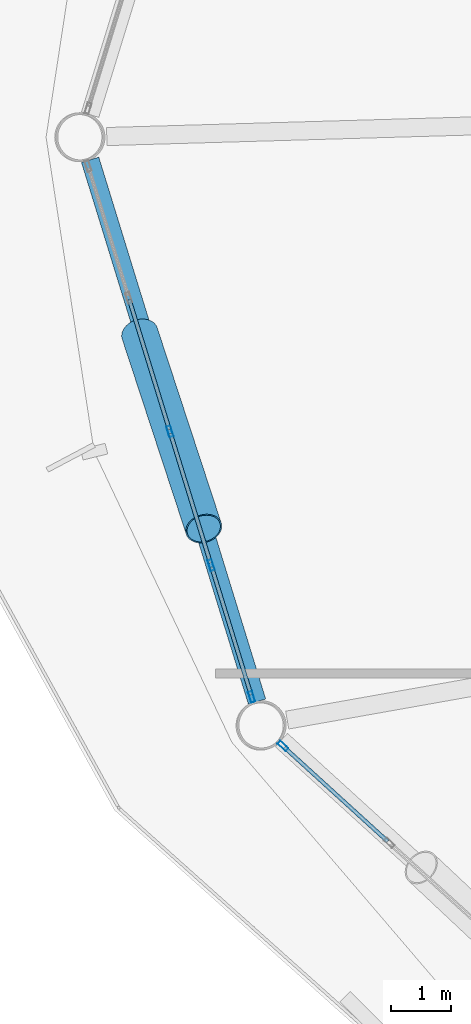
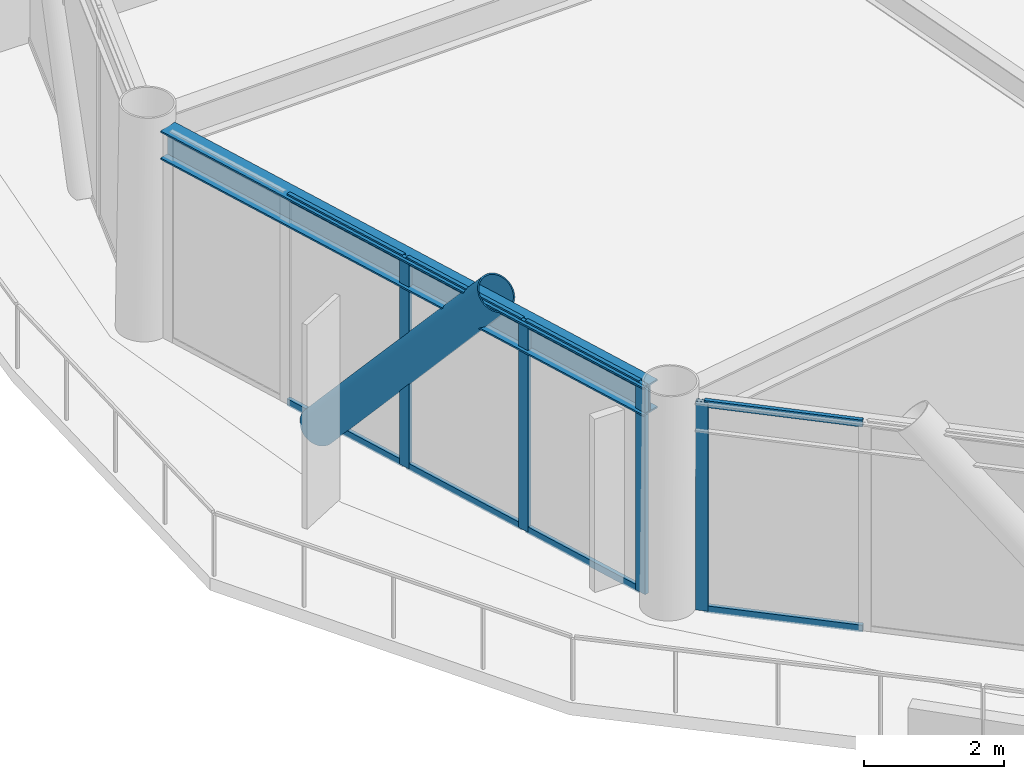
# One storey, part 4 of 24: 13 members, 1 beam, 2 elements without a shape of their own.
"""IFC4 building model written with IfcOpenShell, lengths in metres."""

from ifc_helpers import new_model, si_unit, direction, frame, origin, origin_2d, place, context, subcontext, project, spatial, hollow_rectangle, hollow_circle, i_section, extrude, material, layer, layer_set, material_profile, profile_set, type_object, element, aggregate, save


model = new_model("IFC4")

# Units and contexts
model_context = context("Model", 3, precision=1e-05, world=origin(), true_north=direction((0.0, 1.0)))
body_context = subcontext(model_context, "Body", "Model", "MODEL_VIEW")
ifc_project = project(units=[si_unit("LENGTHUNIT", "METRE"), si_unit("AREAUNIT", "SQUARE_METRE"), si_unit("VOLUMEUNIT", "CUBIC_METRE"), si_unit("PLANEANGLEUNIT", "RADIAN"), si_unit("MASSUNIT", "GRAM", prefix="KILO")], contexts=[model_context])

# Site, building, storey
site_placement = place(None, origin())
site = spatial("IfcSite", under=ifc_project, at=site_placement, CompositionType="ELEMENT")
building_placement = place(site_placement, origin())
building = spatial("IfcBuilding", under=site, at=building_placement, Name="Varnakorn Sky Granary", CompositionType="ELEMENT")
storey_placement = place(building_placement, frame((0.0, 0.0, 103.199951171875)))
storey = spatial("IfcBuildingStorey", under=building, at=storey_placement, Name="L25", CompositionType="ELEMENT", Elevation=103.199951171875)

# Beam
ifc_material_1 = material(Name="Steel S355JR", Category="steel")
ifc_material_profile_1 = material_profile(ifc_material_1, i_section(OverallWidth=0.300048828125, OverallDepth=0.5, WebThickness=0.014404296875, FlangeThickness=0.028076171875, at=origin_2d()), Name="HE 500 B")
ifc_profile_set_1 = profile_set([ifc_material_profile_1], Name="Steel S355JR")
beam_type = type_object("IfcBeamType", Name="BM-SPD-Z2", PredefinedType="SPANDREL", material=ifc_profile_set_1)
beam_placement = place(storey_placement, frame((-22.90185546875, -0.374267578125, 3.39013671875), z_axis=(0.294390401582, -0.955685247064, 0.0), x_axis=(0.955685247064, 0.294390401582, 0.0)))
element("IfcBeam", 1, at=beam_placement, inside=storey, type_object=beam_type, Name="Perimeter Spandrel Ring Beam RB07 L25", PredefinedType="SPANDREL", context=body_context, shape_type="SweptSolid", body=[
    extrude(i_section(OverallWidth=0.300048828125, OverallDepth=0.5, WebThickness=0.014404296875, FlangeThickness=0.028076171875, at=origin_2d()), origin(), (0.0, 0.0, 1.0), 9.40673828125),
])

# Curtain wall, members
ifc_material_2 = material(Name="Anodised Bronze Aluminium Alloy 6063-T6", Category="aluminium")
ifc_layer = layer(ifc_material_2, 0.179931640625, Name="Anodised Bronze Aluminium Alloy 6063-T6")
ifc_layer_set = layer_set([ifc_layer], Name="Anodised Bronze Aluminium Alloy 6063-T6")
curtain_wall_type = type_object("IfcCurtainWallType", Name="CW-FRM-2", PredefinedType="USERDEFINED", material=ifc_layer_set)
curtain_wall_1_placement = place(storey_placement, origin())
curtain_wall_1 = element("IfcCurtainWall", 2, at=curtain_wall_1_placement, inside=storey, type_object=curtain_wall_type, Name="Unitised Curtain Wall CW4 CW-L25-B07", ObjectType="CURTAIN WALL", PredefinedType="USERDEFINED")
ifc_material_profile_2 = material_profile(ifc_material_2, hollow_rectangle(XDim=0.070068359375, YDim=0.18505859375, WallThickness=0.00390625, at=origin_2d()), Name="ALU MULL 70x185")
ifc_profile_set_2 = profile_set([ifc_material_profile_2], Name="Anodised Bronze Aluminium Alloy 6063-T6")
member_type_1 = type_object("IfcMemberType", Name="CW-FRM-2-MULL", PredefinedType="MULLION", material=ifc_profile_set_2)
member_1_placement = place(storey_placement, frame((-20.22216796875, -9.283203125, 0.0), z_axis=(0.0, 0.0, 1.0), x_axis=(-0.955651974312, -0.294498393873, 0.0)))
member_1 = element("IfcMember", 3, at=member_1_placement, type_object=member_type_1, Name="CW4 mullion 1", PredefinedType="MULLION", context=body_context, shape_type="SweptSolid", body=[
    extrude(hollow_rectangle(XDim=0.070068359375, YDim=0.18505859375, WallThickness=0.00390625, at=origin_2d()), origin(), (0.0, 0.0, 1.0), 3.64013671875),
])
member_2_placement = place(storey_placement, frame((-20.895263671875, -7.098876953125, 0.0), z_axis=(0.0, 0.0, 1.0), x_axis=(-0.955651974312, -0.294498393873, 0.0)))
member_2 = element("IfcMember", 4, at=member_2_placement, type_object=member_type_1, Name="CW4 mullion 2", PredefinedType="MULLION", context=body_context, shape_type="SweptSolid", body=[
    extrude(hollow_rectangle(XDim=0.070068359375, YDim=0.18505859375, WallThickness=0.00390625, at=origin_2d()), origin(), (0.0, 0.0, 1.0), 3.64013671875),
])
member_3_placement = place(storey_placement, frame((-21.578857421875, -4.88134765625, 0.0), z_axis=(0.0, 0.0, 1.0), x_axis=(-0.955651974312, -0.294498393873, 0.0)))
member_3 = element("IfcMember", 5, at=member_3_placement, type_object=member_type_1, Name="CW4 mullion 3", PredefinedType="MULLION", context=body_context, shape_type="SweptSolid", body=[
    extrude(hollow_rectangle(XDim=0.070068359375, YDim=0.18505859375, WallThickness=0.00390625, at=origin_2d()), origin(), (0.0, 0.0, 1.0), 3.64013671875),
])

# Curtain wall, member
curtain_wall_2_placement = place(storey_placement, origin())
curtain_wall_2 = element("IfcCurtainWall", 6, at=curtain_wall_2_placement, inside=storey, type_object=curtain_wall_type, Name="Unitised Curtain Wall CW4 CW-L25-B08", ObjectType="CURTAIN WALL", PredefinedType="USERDEFINED")
member_4_placement = place(storey_placement, frame((-19.70361328125, -10.10009765625, 0.0), z_axis=(0.0, 0.0, 1.0), x_axis=(-0.673184597183, -0.739474474282, 0.0)))
member_4 = element("IfcMember", 7, at=member_4_placement, type_object=member_type_1, Name="CW4 mullion 5", PredefinedType="MULLION", context=body_context, shape_type="SweptSolid", body=[
    extrude(hollow_rectangle(XDim=0.070068359375, YDim=0.18505859375, WallThickness=0.00390625, at=origin_2d()), origin(), (0.0, 0.0, 1.0), 3.64013671875),
])

# Member
ifc_material_profile_3 = material_profile(ifc_material_2, hollow_rectangle(XDim=0.06494140625, YDim=0.1201171875, WallThickness=0.00341796875, at=origin_2d()), Name="ALU TRAN 65x120")
ifc_profile_set_3 = profile_set([ifc_material_profile_3], Name="Anodised Bronze Aluminium Alloy 6063-T6")
member_type_2 = type_object("IfcMemberType", Name="CW-FRM-2-TRAN", PredefinedType="USERDEFINED", material=ifc_profile_set_3)
member_5_placement = place(storey_placement, frame((-20.232421875, -9.249755859375, 0.032470703125), z_axis=(-0.294527157053, 0.955643110035, 0.0), x_axis=(-0.955643110035, -0.294527157053, 0.0)))
member_5 = element("IfcMember", 8, at=member_5_placement, type_object=member_type_2, Name="CW4 transom 1.1", ObjectType="TRANSOM", PredefinedType="USERDEFINED", context=body_context, shape_type="SweptSolid", body=[
    extrude(hollow_rectangle(XDim=0.06494140625, YDim=0.1201171875, WallThickness=0.00341796875, at=origin_2d()), origin(), (0.0, 0.0, 1.0), 2.2158203125),
])

member_6_placement = place(storey_placement, frame((-20.232421875, -9.249755859375, 3.607666015625), z_axis=(-0.294527157053, 0.955643110035, 0.0), x_axis=(-0.955643110035, -0.294527157053, 0.0)))
member_6 = element("IfcMember", 9, at=member_6_placement, type_object=member_type_2, Name="CW4 transom 1.2", ObjectType="TRANSOM", PredefinedType="USERDEFINED", context=body_context, shape_type="SweptSolid", body=[
    extrude(hollow_rectangle(XDim=0.06494140625, YDim=0.1201171875, WallThickness=0.00341796875, at=origin_2d()), origin(), (0.0, 0.0, 1.0), 2.2158203125),
])

member_7_placement = place(storey_placement, frame((-20.905517578125, -7.0654296875, 0.032470703125), z_axis=(-0.294535587408, 0.955640511777, 0.0), x_axis=(-0.955640511777, -0.294535587408, 0.0)))
member_7 = element("IfcMember", 10, at=member_7_placement, type_object=member_type_2, Name="CW4 transom 2.1", ObjectType="TRANSOM", PredefinedType="USERDEFINED", context=body_context, shape_type="SweptSolid", body=[
    extrude(hollow_rectangle(XDim=0.06494140625, YDim=0.1201171875, WallThickness=0.00341796875, at=origin_2d()), origin(), (0.0, 0.0, 1.0), 2.25048828125),
])

member_8_placement = place(storey_placement, frame((-20.905517578125, -7.0654296875, 3.607666015625), z_axis=(-0.294535587408, 0.955640511777, 0.0), x_axis=(-0.955640511777, -0.294535587408, 0.0)))
member_8 = element("IfcMember", 11, at=member_8_placement, type_object=member_type_2, Name="CW4 transom 2.2", ObjectType="TRANSOM", PredefinedType="USERDEFINED", context=body_context, shape_type="SweptSolid", body=[
    extrude(hollow_rectangle(XDim=0.06494140625, YDim=0.1201171875, WallThickness=0.00341796875, at=origin_2d()), origin(), (0.0, 0.0, 1.0), 2.25048828125),
])

member_9_placement = place(storey_placement, frame((-21.589111328125, -4.847900390625, 0.032470703125), z_axis=(-0.294505055258, 0.955649921481, 0.0), x_axis=(-0.955649921481, -0.294505055258, 0.0)))
member_9 = element("IfcMember", 12, at=member_9_placement, type_object=member_type_2, Name="CW4 transom 3.1", ObjectType="TRANSOM", PredefinedType="USERDEFINED", context=body_context, shape_type="SweptSolid", body=[
    extrude(hollow_rectangle(XDim=0.06494140625, YDim=0.1201171875, WallThickness=0.00341796875, at=origin_2d()), origin(), (0.0, 0.0, 1.0), 2.250732421875),
])

member_10_placement = place(storey_placement, frame((-21.589111328125, -4.847900390625, 3.607666015625), z_axis=(-0.294505055258, 0.955649921481, 0.0), x_axis=(-0.955649921481, -0.294505055258, 0.0)))
member_10 = element("IfcMember", 13, at=member_10_placement, type_object=member_type_2, Name="CW4 transom 3.2", ObjectType="TRANSOM", PredefinedType="USERDEFINED", context=body_context, shape_type="SweptSolid", body=[
    extrude(hollow_rectangle(XDim=0.06494140625, YDim=0.1201171875, WallThickness=0.00341796875, at=origin_2d()), origin(), (0.0, 0.0, 1.0), 2.250732421875),
])

aggregate(curtain_wall_1, [member_1, member_2, member_3, member_5, member_6, member_7, member_8, member_9, member_10])

member_11_placement = place(storey_placement, frame((-17.96533203125, -11.6826171875, 0.032470703125), z_axis=(-0.739434217415, 0.673228815571, 0.0), x_axis=(-0.673228815571, -0.739434217415, 0.0)))
member_11 = element("IfcMember", 14, at=member_11_placement, type_object=member_type_2, Name="CW4 transom 4.1", ObjectType="TRANSOM", PredefinedType="USERDEFINED", context=body_context, shape_type="SweptSolid", body=[
    extrude(hollow_rectangle(XDim=0.06494140625, YDim=0.1201171875, WallThickness=0.00341796875, at=origin_2d()), origin(), (0.0, 0.0, 1.0), 2.31591796875),
])

member_12_placement = place(storey_placement, frame((-17.96533203125, -11.6826171875, 3.607666015625), z_axis=(-0.739434217415, 0.673228815571, 0.0), x_axis=(-0.673228815571, -0.739434217415, 0.0)))
member_12 = element("IfcMember", 15, at=member_12_placement, type_object=member_type_2, Name="CW4 transom 4.2", ObjectType="TRANSOM", PredefinedType="USERDEFINED", context=body_context, shape_type="SweptSolid", body=[
    extrude(hollow_rectangle(XDim=0.06494140625, YDim=0.1201171875, WallThickness=0.00341796875, at=origin_2d()), origin(), (0.0, 0.0, 1.0), 2.31591796875),
])

aggregate(curtain_wall_2, [member_4, member_11, member_12])

ifc_material_3 = material(Name="Steel S460M", Category="steel")
ifc_material_profile_4 = material_profile(ifc_material_3, hollow_circle(Radius=0.304931640625, WallThickness=0.022216796875, at=origin_2d()), Name="CHS 610x22")
ifc_profile_set_4 = profile_set([ifc_material_profile_4], Name="Steel S460M")
member_type_3 = type_object("IfcMemberType", Name="MB-DIAG-T1", PredefinedType="BRACE", material=ifc_profile_set_4)
member_13_placement = place(storey_placement, frame((-22.080078125, -3.254150390625, -0.1298828125), z_axis=(0.204600629855, -0.62339034086, 0.75466751963), x_axis=(0.950134582197, 0.311840144485, 0.0)))
element("IfcMember", 16, at=member_13_placement, inside=storey, type_object=member_type_3, Name="Perimeter CHS Diagrid Brace DG07 L25", PredefinedType="BRACE", context=body_context, shape_type="SweptSolid", body=[
    extrude(hollow_circle(Radius=0.304931640625, WallThickness=0.022216796875, at=origin_2d()), origin(), (0.0, 0.0, 1.0), 5.1943359375),
])

save(model, "model.ifc")
